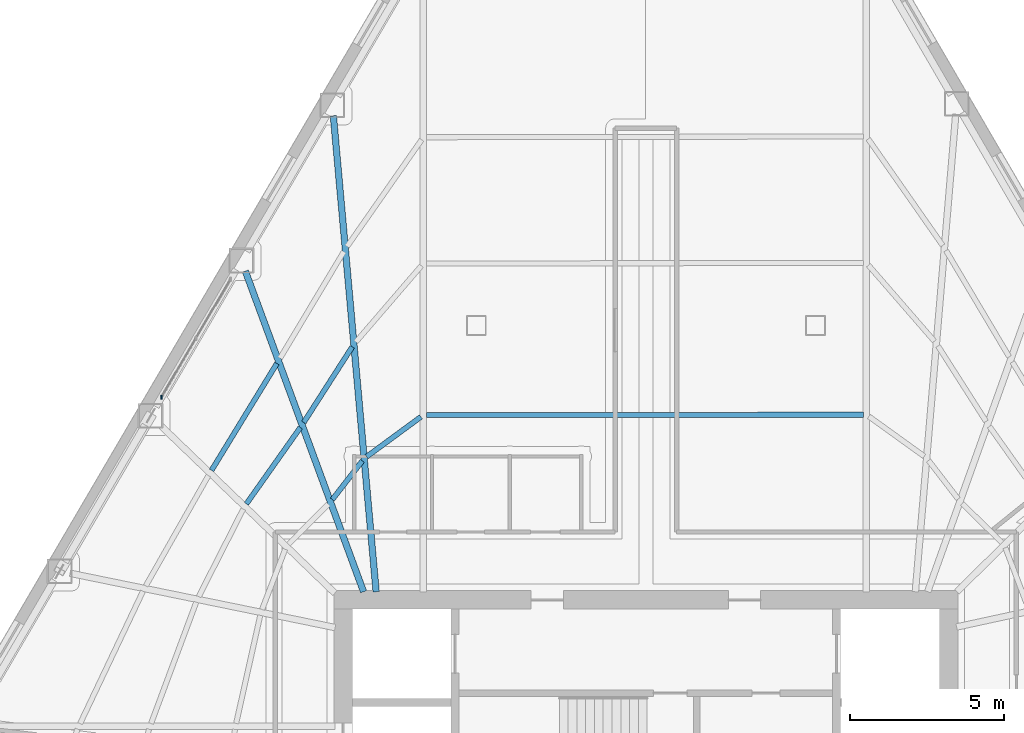
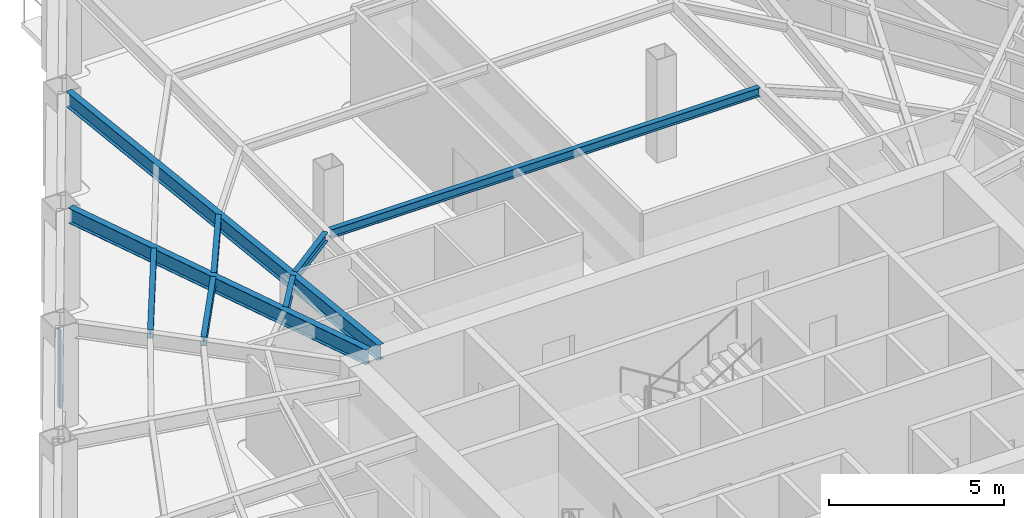
# One storey, part 2 of 15: 8 beams, 1 member, 1 element without a shape of its own.
"""IFC4 building model written with IfcOpenShell, lengths in metres."""

from ifc_helpers import new_model, si_unit, direction, frame, origin, origin_2d, place, context, subcontext, project, spatial, rectangle, i_section, extrude, material, layer, layer_set, material_profile, profile_set, type_object, element, aggregate, save


model = new_model("IFC4")

# Units and contexts
model_context = context("Model", 3, precision=1e-05, world=origin(), true_north=direction((0.0, 1.0)))
body_context = subcontext(model_context, "Body", "Model", "MODEL_VIEW")
ifc_project = project(units=[si_unit("LENGTHUNIT", "METRE"), si_unit("AREAUNIT", "SQUARE_METRE"), si_unit("VOLUMEUNIT", "CUBIC_METRE"), si_unit("PLANEANGLEUNIT", "RADIAN"), si_unit("MASSUNIT", "GRAM", prefix="KILO")], contexts=[model_context])

# Site, building, storey
site_placement = place(None, origin())
site = spatial("IfcSite", under=ifc_project, at=site_placement, CompositionType="ELEMENT")
building_placement = place(site_placement, origin())
building = spatial("IfcBuilding", under=site, at=building_placement, Name="Kavelnor Concourse Tower", CompositionType="ELEMENT")
storey_placement = place(building_placement, frame((0.0, 0.0, 63.75)))
storey = spatial("IfcBuildingStorey", under=building, at=storey_placement, Name="L16", CompositionType="ELEMENT", Elevation=63.75)

# Beams
ifc_material_1 = material(Name="Steel Grade 350", Category="steel")
ifc_material_profile_1 = material_profile(ifc_material_1, i_section(OverallWidth=0.166015625, OverallDepth=0.306884765625, WebThickness=0.006591796875, FlangeThickness=0.01171875, at=origin_2d()), Name="310UB46")
ifc_profile_set_1 = profile_set([ifc_material_profile_1], Name="Steel Grade 350")
beam_type_1 = type_object("IfcBeamType", Name="BM-JOIST-310", PredefinedType="JOIST", material=ifc_profile_set_1)
beam_1_placement = place(storey_placement, frame((45.05810546875, 28.904541015625, 3.4365234375), z_axis=(-0.999999774513, -0.000671545264, 0.0), x_axis=(0.000671545264, -0.999999774513, 0.0)))
element("IfcBeam", 1, at=beam_1_placement, inside=storey, type_object=beam_type_1, Name="L16 Secondary Composite Joist 15-1", PredefinedType="JOIST", context=body_context, shape_type="SweptSolid", body=[
    extrude(i_section(OverallWidth=0.166015625, OverallDepth=0.306884765625, WebThickness=0.006591796875, FlangeThickness=0.01171875, at=origin_2d()), origin(), (0.0, 0.0, 1.0), 14.178466796875),
])
beam_2_placement = place(storey_placement, frame((30.70166015625, 28.836669921875, 3.4365234375), z_axis=(-0.80605687836, -0.591838076545, 0.0), x_axis=(0.591838076545, -0.80605687836, 0.0)))
element("IfcBeam", 2, at=beam_2_placement, inside=storey, type_object=beam_type_1, Name="L16 Secondary Composite Joist 16-1", PredefinedType="JOIST", context=body_context, shape_type="SweptSolid", body=[
    extrude(i_section(OverallWidth=0.166015625, OverallDepth=0.306884765625, WebThickness=0.006591796875, FlangeThickness=0.01171875, at=origin_2d()), origin(), (0.0, 0.0, 1.0), 2.185791015625),
])
beam_3_placement = place(storey_placement, frame((28.7998046875, 27.40673828125, 3.4365234375), z_axis=(-0.612821558536, -0.790221321778, 0.0), x_axis=(0.790221321778, -0.612821558536, 0.0)))
element("IfcBeam", 3, at=beam_3_placement, inside=storey, type_object=beam_type_1, Name="L16 Secondary Composite Joist 17-1", PredefinedType="JOIST", context=body_context, shape_type="SweptSolid", body=[
    extrude(i_section(OverallWidth=0.166015625, OverallDepth=0.306884765625, WebThickness=0.006591796875, FlangeThickness=0.01171875, at=origin_2d()), origin(), (0.0, 0.0, 1.0), 1.586669921875),
])
beam_4_placement = place(storey_placement, frame((28.473876953125, 31.1083984375, 3.4365234375), z_axis=(-0.539927831003, -0.841711314709, 0.0), x_axis=(0.841711314709, -0.539927831003, 0.0)))
element("IfcBeam", 4, at=beam_4_placement, inside=storey, type_object=beam_type_1, Name="L16 Secondary Composite Joist 17-2", PredefinedType="JOIST", context=body_context, shape_type="SweptSolid", body=[
    extrude(i_section(OverallWidth=0.166015625, OverallDepth=0.306884765625, WebThickness=0.006591796875, FlangeThickness=0.01171875, at=origin_2d()), origin(), (0.0, 0.0, 1.0), 2.91552734375),
])
beam_5_placement = place(storey_placement, frame((26.789794921875, 28.490966796875, 3.4365234375), z_axis=(-0.57706842263, -0.816695803591, 0.0), x_axis=(0.816695803591, -0.57706842263, 0.0)))
element("IfcBeam", 5, at=beam_5_placement, inside=storey, type_object=beam_type_1, Name="L16 Secondary Composite Joist 18-2", PredefinedType="JOIST", context=body_context, shape_type="SweptSolid", body=[
    extrude(i_section(OverallWidth=0.166015625, OverallDepth=0.306884765625, WebThickness=0.006591796875, FlangeThickness=0.01171875, at=origin_2d()), origin(), (0.0, 0.0, 1.0), 3.03515625),
])
beam_6_placement = place(storey_placement, frame((26.028076171875, 30.56787109375, 3.4365234375), z_axis=(-0.521612729234, -0.853182372474, 0.0), x_axis=(0.853182372474, -0.521612729234, 0.0)))
element("IfcBeam", 6, at=beam_6_placement, inside=storey, type_object=beam_type_1, Name="L16 Secondary Composite Joist 18-3", PredefinedType="JOIST", context=body_context, shape_type="SweptSolid", body=[
    extrude(i_section(OverallWidth=0.166015625, OverallDepth=0.306884765625, WebThickness=0.006591796875, FlangeThickness=0.01171875, at=origin_2d()), origin(), (0.0, 0.0, 1.0), 4.06591796875),
])
ifc_material_profile_2 = material_profile(ifc_material_1, i_section(OverallWidth=0.208984375, OverallDepth=0.528076171875, WebThickness=0.009521484375, FlangeThickness=0.01318359375, at=origin_2d()), Name="530UB82")
ifc_profile_set_2 = profile_set([ifc_material_profile_2], Name="Steel Grade 350")
beam_type_2 = type_object("IfcBeamType", Name="BM-PRIMARY-530", PredefinedType="BEAM", material=ifc_profile_set_2)
beam_7_placement = place(storey_placement, frame((29.248779296875, 23.16015625, 3.325927734375), z_axis=(-0.089506508993, 0.995986237278, 0.0), x_axis=(-0.995986237278, -0.089506508993, 0.0)))
element("IfcBeam", 7, at=beam_7_placement, inside=storey, type_object=beam_type_2, Name="L16 Primary Floor Girder F0-B1", PredefinedType="BEAM", context=body_context, shape_type="SweptSolid", body=[
    extrude(i_section(OverallWidth=0.208984375, OverallDepth=0.528076171875, WebThickness=0.009521484375, FlangeThickness=0.01318359375, at=origin_2d()), origin(), (0.0, 0.0, 1.0), 15.506591796875),
])
beam_8_placement = place(storey_placement, frame((28.8408203125, 23.16259765625, 3.325927734375), z_axis=(-0.34594619473, 0.938254352695, 0.0), x_axis=(-0.938254352695, -0.34594619473, 0.0)))
element("IfcBeam", 8, at=beam_8_placement, inside=storey, type_object=beam_type_2, Name="L16 Primary Floor Girder F0-B2", PredefinedType="BEAM", context=body_context, shape_type="SweptSolid", body=[
    extrude(i_section(OverallWidth=0.208984375, OverallDepth=0.528076171875, WebThickness=0.009521484375, FlangeThickness=0.01318359375, at=origin_2d()), origin(), (0.0, 0.0, 1.0), 11.086181640625),
])

# Curtain wall, member
ifc_material_2 = material(Name="Anodised aluminium 6063-T6", Category="aluminium")
ifc_layer = layer(ifc_material_2, 0.139892578125, Name="Anodised aluminium 6063-T6")
ifc_layer_set = layer_set([ifc_layer], Name="Anodised aluminium 6063-T6")
curtain_wall_type = type_object("IfcCurtainWallType", Name="CW-TERRACE-PAVILION", PredefinedType="NOTDEFINED", material=ifc_layer_set)
curtain_wall_placement = place(storey_placement, origin())
curtain_wall = element("IfcCurtainWall", 9, at=curtain_wall_placement, inside=storey, type_object=curtain_wall_type, Name="L16 Terrace Pavilion Curtain Wall", PredefinedType="NOTDEFINED")
ifc_material_profile_3 = material_profile(ifc_material_2, rectangle(XDim=0.054931640625, YDim=0.139892578125, at=origin_2d()), Name="AL-MULL 55x140")
ifc_profile_set_3 = profile_set([ifc_material_profile_3], Name="Anodised aluminium 6063-T6")
member_type = type_object("IfcMemberType", Name="CW-TERRACE-PAVILION-MULL", PredefinedType="MULLION", material=ifc_profile_set_3)
member_placement = place(storey_placement, frame((22.2822265625, 29.47314453125, 0.0), z_axis=(0.0, 0.0, 1.0), x_axis=(1.0, 0.0, 0.0)))
member = element("IfcMember", 10, at=member_placement, type_object=member_type, Name="L16 Terrace Pavilion Curtain Wall Mullion 2", PredefinedType="MULLION", context=body_context, shape_type="SweptSolid", body=[
    extrude(rectangle(XDim=0.054931640625, YDim=0.139892578125, at=origin_2d()), origin(), (0.0, 0.0, 1.0), 2.75),
])
aggregate(curtain_wall, [member])

save(model, "model.ifc")
